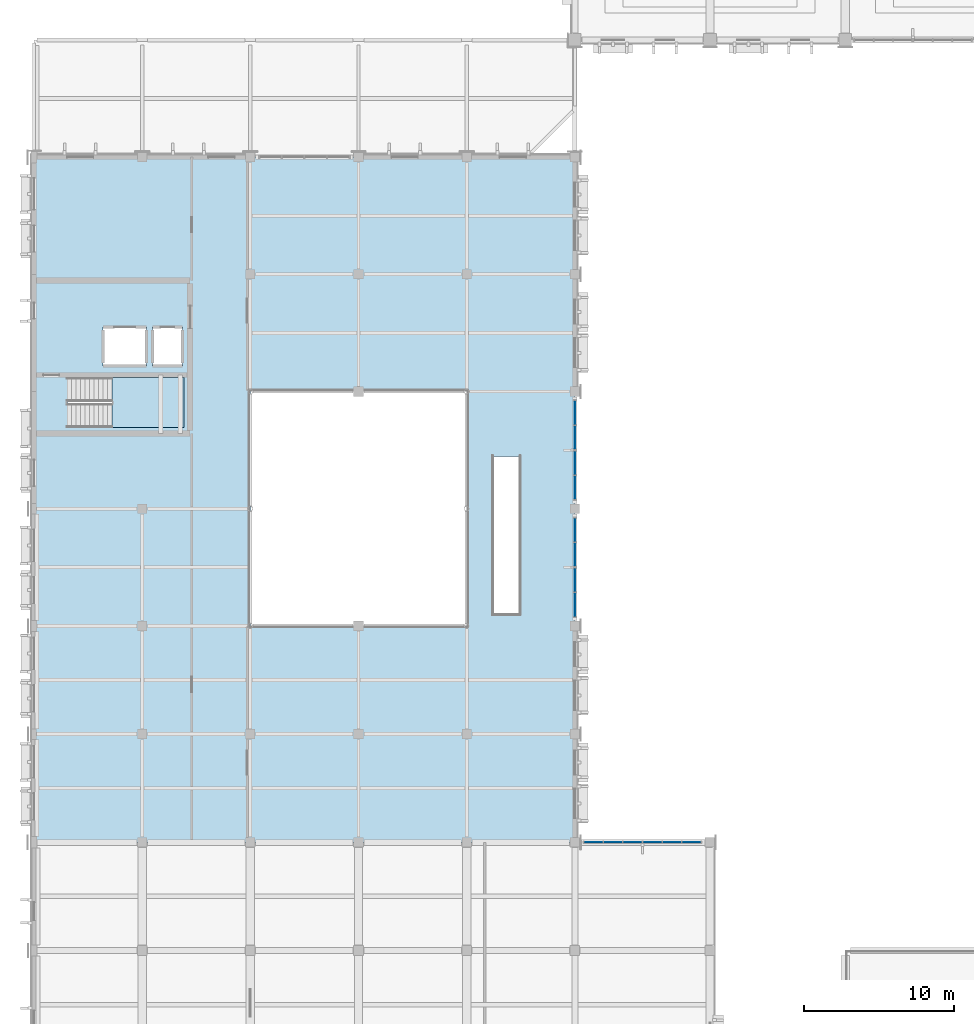
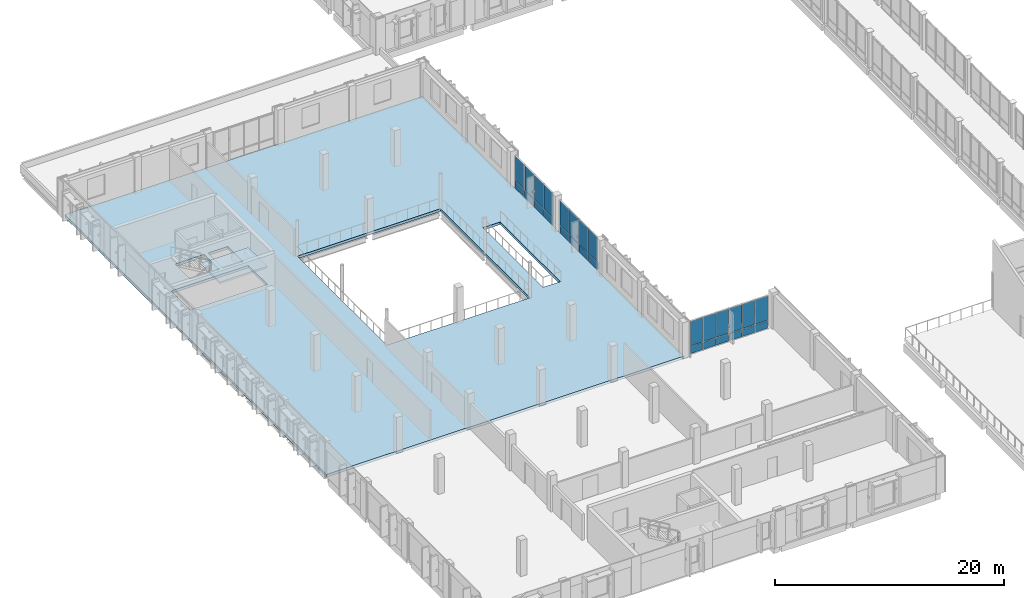
# One storey, part 43 of 85: 28 plates, 2 slabs, 7 elements without a shape of their own.
"""IFC4 building model written with IfcOpenShell, lengths in metres."""

from ifc_helpers import new_model, si_unit, direction, frame, origin, origin_2d, place, context, subcontext, project, spatial, polyline, rectangle, outline, extrude, material, layer, layer_set, type_object, element, aggregate, save


model = new_model("IFC4")

# Units and contexts
model_context = context("Model", 3, precision=1e-05, world=origin(), true_north=direction((0.0, 1.0)))
body_context = subcontext(model_context, "Body", "Model", "MODEL_VIEW")
ifc_project = project(units=[si_unit("LENGTHUNIT", "METRE"), si_unit("AREAUNIT", "SQUARE_METRE"), si_unit("VOLUMEUNIT", "CUBIC_METRE"), si_unit("PLANEANGLEUNIT", "RADIAN"), si_unit("MASSUNIT", "GRAM", prefix="KILO")], contexts=[model_context])

# Site, building, storey
site_placement = place(None, origin())
site = spatial("IfcSite", under=ifc_project, at=site_placement, CompositionType="ELEMENT")
building_placement = place(site_placement, origin())
building = spatial("IfcBuilding", under=site, at=building_placement, Name="Vervanel Yard Central Library", CompositionType="ELEMENT")
storey_placement = place(building_placement, frame((0.0, 0.0, 5.10009765625)))
storey = spatial("IfcBuildingStorey", under=building, at=storey_placement, Name="L01", CompositionType="ELEMENT", Elevation=5.10009765625)

# Stair, slab
ifc_material_1 = material(Name="Concrete C40/50", Category="concrete")
stair_type = type_object("IfcStairType", Name="Protected Core Dog-Leg Stair ST-03", PredefinedType="HALF_TURN_STAIR", material=ifc_material_1)
stair_placement = place(storey_placement, origin())
stair = element("IfcStair", 1, at=stair_placement, inside=storey, type_object=stair_type, Name="L01 CORE-C Protected Exit Stair", PredefinedType="HALF_TURN_STAIR")
ifc_layer_1 = layer(ifc_material_1, 0.199951171875, Category="concrete")
ifc_layer_set_1 = layer_set([ifc_layer_1], Name="Concrete C40/50")
slab_type_1 = type_object("IfcSlabType", Name="Core Stair Concrete Landing Slab 200", PredefinedType="LANDING", material=ifc_layer_set_1)
slab_1_placement = place(storey_placement, frame((0.0, 0.0, 1.719970703125)))
slab_1 = element("IfcSlab", 2, at=slab_1_placement, type_object=slab_type_1, Name="ST-03 landing 1", PredefinedType="LANDING", context=body_context, shape_type="SweptSolid", body=[
    extrude(outline(polyline([(5.199951171875, 56.39990234375), (10.0, 56.39990234375), (10.0, 59.719970703125), (5.199951171875, 59.719970703125), (5.199951171875, 56.39990234375)])), origin(), (0.0, 0.0, 1.0), 0.199951171875),
])
aggregate(stair, [slab_1])

# Curtain wall, plates
ifc_material_2 = material(Name="Thermally broken anodized aluminium 6063-T6", Category="aluminium")
curtain_wall_type_1 = type_object("IfcCurtainWallType", Name="Atrium Courtyard Curtain Wall", PredefinedType="NOTDEFINED", material=ifc_material_2)
curtain_wall_1_placement = place(storey_placement, origin())
curtain_wall_1 = element("IfcCurtainWall", 3, at=curtain_wall_1_placement, inside=storey, type_object=curtain_wall_type_1, Name="L01 Atrium Courtyard Curtain Wall CWR-L01-028", PredefinedType="NOTDEFINED")
ifc_material_3 = material(Name="Double low-E laminated solar-control glass", Category="glass")
ifc_layer_2 = layer(ifc_material_3, 0.030029296875, Category="glass")
ifc_layer_set_2 = layer_set([ifc_layer_2], Name="Double low-E laminated solar-control glass")
plate_type_1 = type_object("IfcPlateType", Name="Courtyard Clear Low-E Panel 30", PredefinedType="CURTAIN_PANEL", material=ifc_layer_set_2)
plate_1_placement = place(storey_placement, frame((36.0, 44.611328125, 0.88232421875), z_axis=(0.0, 0.0, 1.0), x_axis=(0.0, 1.0, 0.0)))
plate_1 = element("IfcPlate", 4, at=plate_1_placement, type_object=plate_type_1, Name="CWR-L01-028 Panel B1-2", PredefinedType="CURTAIN_PANEL", context=body_context, shape_type="SweptSolid", body=[
    extrude(rectangle(XDim=1.572509765625, YDim=0.030029296875, at=origin_2d()), origin(), (0.0, 0.0, 1.0), 2.58251953125),
])
plate_2_placement = place(storey_placement, frame((36.0, 46.248779296875, 0.88232421875), z_axis=(0.0, 0.0, 1.0), x_axis=(0.0, 1.0, 0.0)))
plate_2 = element("IfcPlate", 5, at=plate_2_placement, type_object=plate_type_1, Name="CWR-L01-028 Panel B2-2", PredefinedType="CURTAIN_PANEL", context=body_context, shape_type="SweptSolid", body=[
    extrude(rectangle(XDim=1.572509765625, YDim=0.030029296875, at=origin_2d()), origin(), (0.0, 0.0, 1.0), 2.58251953125),
])

curtain_wall_2_placement = place(storey_placement, origin())
curtain_wall_2 = element("IfcCurtainWall", 6, at=curtain_wall_2_placement, inside=storey, type_object=curtain_wall_type_1, Name="L01 Atrium Courtyard Curtain Wall CWR-L01-029", PredefinedType="NOTDEFINED")
plate_3_placement = place(storey_placement, frame((36.0, 47.951171875, 0.88232421875), z_axis=(0.0, 0.0, 1.0), x_axis=(0.0, 1.0, 0.0)))
plate_3 = element("IfcPlate", 7, at=plate_3_placement, type_object=plate_type_1, Name="CWR-L01-029 Panel B1-2", PredefinedType="CURTAIN_PANEL", context=body_context, shape_type="SweptSolid", body=[
    extrude(rectangle(XDim=1.572509765625, YDim=0.030029296875, at=origin_2d()), origin(), (0.0, 0.0, 1.0), 2.58251953125),
])
plate_4_placement = place(storey_placement, frame((36.0, 49.5888671875, 0.88232421875), z_axis=(0.0, 0.0, 1.0), x_axis=(0.0, 1.0, 0.0)))
plate_4 = element("IfcPlate", 8, at=plate_4_placement, type_object=plate_type_1, Name="CWR-L01-029 Panel B2-2", PredefinedType="CURTAIN_PANEL", context=body_context, shape_type="SweptSolid", body=[
    extrude(rectangle(XDim=1.572509765625, YDim=0.030029296875, at=origin_2d()), origin(), (0.0, 0.0, 1.0), 2.58251953125),
])

curtain_wall_3_placement = place(storey_placement, origin())
curtain_wall_3 = element("IfcCurtainWall", 9, at=curtain_wall_3_placement, inside=storey, type_object=curtain_wall_type_1, Name="L01 Atrium Courtyard Curtain Wall CWR-L01-030", PredefinedType="NOTDEFINED")
plate_5_placement = place(storey_placement, frame((36.0, 52.4111328125, 0.88232421875), z_axis=(0.0, 0.0, 1.0), x_axis=(0.0, 1.0, 0.0)))
plate_5 = element("IfcPlate", 10, at=plate_5_placement, type_object=plate_type_1, Name="CWR-L01-030 Panel B1-2", PredefinedType="CURTAIN_PANEL", context=body_context, shape_type="SweptSolid", body=[
    extrude(rectangle(XDim=1.572509765625, YDim=0.030029296875, at=origin_2d()), origin(), (0.0, 0.0, 1.0), 2.58251953125),
])
plate_6_placement = place(storey_placement, frame((36.0, 54.048828125, 0.88232421875), z_axis=(0.0, 0.0, 1.0), x_axis=(0.0, 1.0, 0.0)))
plate_6 = element("IfcPlate", 11, at=plate_6_placement, type_object=plate_type_1, Name="CWR-L01-030 Panel B2-2", PredefinedType="CURTAIN_PANEL", context=body_context, shape_type="SweptSolid", body=[
    extrude(rectangle(XDim=1.572509765625, YDim=0.030029296875, at=origin_2d()), origin(), (0.0, 0.0, 1.0), 2.58251953125),
])

curtain_wall_4_placement = place(storey_placement, origin())
curtain_wall_4 = element("IfcCurtainWall", 12, at=curtain_wall_4_placement, inside=storey, type_object=curtain_wall_type_1, Name="L01 Atrium Courtyard Curtain Wall CWR-L01-031", PredefinedType="NOTDEFINED")
plate_7_placement = place(storey_placement, frame((36.0, 55.751220703125, 0.88232421875), z_axis=(0.0, 0.0, 1.0), x_axis=(0.0, 1.0, 0.0)))
plate_7 = element("IfcPlate", 13, at=plate_7_placement, type_object=plate_type_1, Name="CWR-L01-031 Panel B1-2", PredefinedType="CURTAIN_PANEL", context=body_context, shape_type="SweptSolid", body=[
    extrude(rectangle(XDim=1.572509765625, YDim=0.030029296875, at=origin_2d()), origin(), (0.0, 0.0, 1.0), 2.58251953125),
])
plate_8_placement = place(storey_placement, frame((36.0, 57.388671875, 0.88232421875), z_axis=(0.0, 0.0, 1.0), x_axis=(0.0, 1.0, 0.0)))
plate_8 = element("IfcPlate", 14, at=plate_8_placement, type_object=plate_type_1, Name="CWR-L01-031 Panel B2-2", PredefinedType="CURTAIN_PANEL", context=body_context, shape_type="SweptSolid", body=[
    extrude(rectangle(XDim=1.572509765625, YDim=0.030029296875, at=origin_2d()), origin(), (0.0, 0.0, 1.0), 2.58251953125),
])

curtain_wall_type_2 = type_object("IfcCurtainWallType", Name="Boulevard Cafe & Bridge Curtain Wall", PredefinedType="NOTDEFINED", material=ifc_material_2)
curtain_wall_5_placement = place(storey_placement, origin())
curtain_wall_5 = element("IfcCurtainWall", 15, at=curtain_wall_5_placement, inside=storey, type_object=curtain_wall_type_2, Name="L01 Boulevard Cafe & Bridge Curtain Wall CWR-L01-197", PredefinedType="NOTDEFINED")
plate_9_placement = place(storey_placement, frame((37.236572265625, 28.800048828125, 0.8798828125), z_axis=(0.0, 0.0, 1.0), x_axis=(1.0, 0.0, 0.0)))
plate_9 = element("IfcPlate", 16, at=plate_9_placement, type_object=plate_type_1, Name="CWR-L01-197 Panel B1-2", PredefinedType="CURTAIN_PANEL", context=body_context, shape_type="SweptSolid", body=[
    extrude(rectangle(XDim=1.2333984375, YDim=0.030029296875, at=origin_2d()), origin(), (0.0, 0.0, 1.0), 2.590087890625),
])
plate_10_placement = place(storey_placement, frame((38.530029296875, 28.800048828125, 0.8798828125), z_axis=(0.0, 0.0, 1.0), x_axis=(1.0, 0.0, 0.0)))
plate_10 = element("IfcPlate", 17, at=plate_10_placement, type_object=plate_type_1, Name="CWR-L01-197 Panel B2-2", PredefinedType="CURTAIN_PANEL", context=body_context, shape_type="SweptSolid", body=[
    extrude(rectangle(XDim=1.2333984375, YDim=0.030029296875, at=origin_2d()), origin(), (0.0, 0.0, 1.0), 2.590087890625),
])
plate_11_placement = place(storey_placement, frame((39.8232421875, 28.800048828125, 0.8798828125), z_axis=(0.0, 0.0, 1.0), x_axis=(1.0, 0.0, 0.0)))
plate_11 = element("IfcPlate", 18, at=plate_11_placement, type_object=plate_type_1, Name="CWR-L01-197 Panel B3-2", PredefinedType="CURTAIN_PANEL", context=body_context, shape_type="SweptSolid", body=[
    extrude(rectangle(XDim=1.2333984375, YDim=0.030029296875, at=origin_2d()), origin(), (0.0, 0.0, 1.0), 2.590087890625),
])

curtain_wall_6_placement = place(storey_placement, origin())
curtain_wall_6 = element("IfcCurtainWall", 19, at=curtain_wall_6_placement, inside=storey, type_object=curtain_wall_type_2, Name="L01 Boulevard Cafe & Bridge Curtain Wall CWR-L01-198", PredefinedType="NOTDEFINED")
plate_12_placement = place(storey_placement, frame((41.1767578125, 28.800048828125, 0.8798828125), z_axis=(0.0, 0.0, 1.0), x_axis=(1.0, 0.0, 0.0)))
plate_12 = element("IfcPlate", 20, at=plate_12_placement, type_object=plate_type_1, Name="CWR-L01-198 Panel B1-2", PredefinedType="CURTAIN_PANEL", context=body_context, shape_type="SweptSolid", body=[
    extrude(rectangle(XDim=1.2333984375, YDim=0.030029296875, at=origin_2d()), origin(), (0.0, 0.0, 1.0), 2.590087890625),
])
plate_13_placement = place(storey_placement, frame((42.469970703125, 28.800048828125, 0.8798828125), z_axis=(0.0, 0.0, 1.0), x_axis=(1.0, 0.0, 0.0)))
plate_13 = element("IfcPlate", 21, at=plate_13_placement, type_object=plate_type_1, Name="CWR-L01-198 Panel B2-2", PredefinedType="CURTAIN_PANEL", context=body_context, shape_type="SweptSolid", body=[
    extrude(rectangle(XDim=1.2333984375, YDim=0.030029296875, at=origin_2d()), origin(), (0.0, 0.0, 1.0), 2.590087890625),
])
plate_14_placement = place(storey_placement, frame((43.763427734375, 28.800048828125, 0.8798828125), z_axis=(0.0, 0.0, 1.0), x_axis=(1.0, 0.0, 0.0)))
plate_14 = element("IfcPlate", 22, at=plate_14_placement, type_object=plate_type_1, Name="CWR-L01-198 Panel B3-2", PredefinedType="CURTAIN_PANEL", context=body_context, shape_type="SweptSolid", body=[
    extrude(rectangle(XDim=1.2333984375, YDim=0.030029296875, at=origin_2d()), origin(), (0.0, 0.0, 1.0), 2.590087890625),
])

# Plate
ifc_material_4 = material(Name="Insulated bronze aluminium spandrel panel", Category="aluminium")
ifc_layer_3 = layer(ifc_material_4, 0.080078125, Category="aluminium")
ifc_layer_set_3 = layer_set([ifc_layer_3], Name="Insulated bronze aluminium spandrel panel")
plate_type_2 = type_object("IfcPlateType", Name="Insulated Bronze Spandrel Panel 80", PredefinedType="CURTAIN_PANEL", material=ifc_layer_set_3)
plate_15_placement = place(storey_placement, frame((36.0, 44.611328125, 0.06494140625), z_axis=(0.0, 0.0, 1.0), x_axis=(0.0, 1.0, 0.0)))
plate_15 = element("IfcPlate", 23, at=plate_15_placement, type_object=plate_type_2, Name="CWR-L01-028 Panel B1-1", PredefinedType="CURTAIN_PANEL", context=body_context, shape_type="SweptSolid", body=[
    extrude(rectangle(XDim=1.572509765625, YDim=0.080078125, at=origin_2d()), origin(), (0.0, 0.0, 1.0), 0.75244140625),
])

plate_16_placement = place(storey_placement, frame((36.0, 46.248779296875, 0.06494140625), z_axis=(0.0, 0.0, 1.0), x_axis=(0.0, 1.0, 0.0)))
plate_16 = element("IfcPlate", 24, at=plate_16_placement, type_object=plate_type_2, Name="CWR-L01-028 Panel B2-1", PredefinedType="CURTAIN_PANEL", context=body_context, shape_type="SweptSolid", body=[
    extrude(rectangle(XDim=1.572509765625, YDim=0.080078125, at=origin_2d()), origin(), (0.0, 0.0, 1.0), 0.75244140625),
])

aggregate(curtain_wall_1, [plate_15, plate_1, plate_16, plate_2])

plate_17_placement = place(storey_placement, frame((36.0, 47.951171875, 0.06494140625), z_axis=(0.0, 0.0, 1.0), x_axis=(0.0, 1.0, 0.0)))
plate_17 = element("IfcPlate", 25, at=plate_17_placement, type_object=plate_type_2, Name="CWR-L01-029 Panel B1-1", PredefinedType="CURTAIN_PANEL", context=body_context, shape_type="SweptSolid", body=[
    extrude(rectangle(XDim=1.572509765625, YDim=0.080078125, at=origin_2d()), origin(), (0.0, 0.0, 1.0), 0.75244140625),
])

plate_18_placement = place(storey_placement, frame((36.0, 49.5888671875, 0.06494140625), z_axis=(0.0, 0.0, 1.0), x_axis=(0.0, 1.0, 0.0)))
plate_18 = element("IfcPlate", 26, at=plate_18_placement, type_object=plate_type_2, Name="CWR-L01-029 Panel B2-1", PredefinedType="CURTAIN_PANEL", context=body_context, shape_type="SweptSolid", body=[
    extrude(rectangle(XDim=1.572509765625, YDim=0.080078125, at=origin_2d()), origin(), (0.0, 0.0, 1.0), 0.75244140625),
])

aggregate(curtain_wall_2, [plate_17, plate_3, plate_18, plate_4])

plate_19_placement = place(storey_placement, frame((36.0, 52.4111328125, 0.06494140625), z_axis=(0.0, 0.0, 1.0), x_axis=(0.0, 1.0, 0.0)))
plate_19 = element("IfcPlate", 27, at=plate_19_placement, type_object=plate_type_2, Name="CWR-L01-030 Panel B1-1", PredefinedType="CURTAIN_PANEL", context=body_context, shape_type="SweptSolid", body=[
    extrude(rectangle(XDim=1.572509765625, YDim=0.080078125, at=origin_2d()), origin(), (0.0, 0.0, 1.0), 0.75244140625),
])

plate_20_placement = place(storey_placement, frame((36.0, 54.048828125, 0.06494140625), z_axis=(0.0, 0.0, 1.0), x_axis=(0.0, 1.0, 0.0)))
plate_20 = element("IfcPlate", 28, at=plate_20_placement, type_object=plate_type_2, Name="CWR-L01-030 Panel B2-1", PredefinedType="CURTAIN_PANEL", context=body_context, shape_type="SweptSolid", body=[
    extrude(rectangle(XDim=1.572509765625, YDim=0.080078125, at=origin_2d()), origin(), (0.0, 0.0, 1.0), 0.75244140625),
])

aggregate(curtain_wall_3, [plate_19, plate_5, plate_20, plate_6])

plate_21_placement = place(storey_placement, frame((36.0, 55.751220703125, 0.06494140625), z_axis=(0.0, 0.0, 1.0), x_axis=(0.0, 1.0, 0.0)))
plate_21 = element("IfcPlate", 29, at=plate_21_placement, type_object=plate_type_2, Name="CWR-L01-031 Panel B1-1", PredefinedType="CURTAIN_PANEL", context=body_context, shape_type="SweptSolid", body=[
    extrude(rectangle(XDim=1.572509765625, YDim=0.080078125, at=origin_2d()), origin(), (0.0, 0.0, 1.0), 0.75244140625),
])

plate_22_placement = place(storey_placement, frame((36.0, 57.388671875, 0.06494140625), z_axis=(0.0, 0.0, 1.0), x_axis=(0.0, 1.0, 0.0)))
plate_22 = element("IfcPlate", 30, at=plate_22_placement, type_object=plate_type_2, Name="CWR-L01-031 Panel B2-1", PredefinedType="CURTAIN_PANEL", context=body_context, shape_type="SweptSolid", body=[
    extrude(rectangle(XDim=1.572509765625, YDim=0.080078125, at=origin_2d()), origin(), (0.0, 0.0, 1.0), 0.75244140625),
])

aggregate(curtain_wall_4, [plate_21, plate_7, plate_22, plate_8])

plate_23_placement = place(storey_placement, frame((37.236572265625, 28.800048828125, 0.06005859375), z_axis=(0.0, 0.0, 1.0), x_axis=(1.0, 0.0, 0.0)))
plate_23 = element("IfcPlate", 31, at=plate_23_placement, type_object=plate_type_2, Name="CWR-L01-197 Panel B1-1", PredefinedType="CURTAIN_PANEL", context=body_context, shape_type="SweptSolid", body=[
    extrude(rectangle(XDim=1.2333984375, YDim=0.080078125, at=origin_2d()), origin(), (0.0, 0.0, 1.0), 0.760009765625),
])

plate_24_placement = place(storey_placement, frame((38.530029296875, 28.800048828125, 0.06005859375), z_axis=(0.0, 0.0, 1.0), x_axis=(1.0, 0.0, 0.0)))
plate_24 = element("IfcPlate", 32, at=plate_24_placement, type_object=plate_type_2, Name="CWR-L01-197 Panel B2-1", PredefinedType="CURTAIN_PANEL", context=body_context, shape_type="SweptSolid", body=[
    extrude(rectangle(XDim=1.2333984375, YDim=0.080078125, at=origin_2d()), origin(), (0.0, 0.0, 1.0), 0.760009765625),
])

plate_25_placement = place(storey_placement, frame((39.8232421875, 28.800048828125, 0.06005859375), z_axis=(0.0, 0.0, 1.0), x_axis=(1.0, 0.0, 0.0)))
plate_25 = element("IfcPlate", 33, at=plate_25_placement, type_object=plate_type_2, Name="CWR-L01-197 Panel B3-1", PredefinedType="CURTAIN_PANEL", context=body_context, shape_type="SweptSolid", body=[
    extrude(rectangle(XDim=1.2333984375, YDim=0.080078125, at=origin_2d()), origin(), (0.0, 0.0, 1.0), 0.760009765625),
])

aggregate(curtain_wall_5, [plate_23, plate_9, plate_24, plate_10, plate_25, plate_11])

plate_26_placement = place(storey_placement, frame((41.1767578125, 28.800048828125, 0.06005859375), z_axis=(0.0, 0.0, 1.0), x_axis=(1.0, 0.0, 0.0)))
plate_26 = element("IfcPlate", 34, at=plate_26_placement, type_object=plate_type_2, Name="CWR-L01-198 Panel B1-1", PredefinedType="CURTAIN_PANEL", context=body_context, shape_type="SweptSolid", body=[
    extrude(rectangle(XDim=1.2333984375, YDim=0.080078125, at=origin_2d()), origin(), (0.0, 0.0, 1.0), 0.760009765625),
])

plate_27_placement = place(storey_placement, frame((42.469970703125, 28.800048828125, 0.06005859375), z_axis=(0.0, 0.0, 1.0), x_axis=(1.0, 0.0, 0.0)))
plate_27 = element("IfcPlate", 35, at=plate_27_placement, type_object=plate_type_2, Name="CWR-L01-198 Panel B2-1", PredefinedType="CURTAIN_PANEL", context=body_context, shape_type="SweptSolid", body=[
    extrude(rectangle(XDim=1.2333984375, YDim=0.080078125, at=origin_2d()), origin(), (0.0, 0.0, 1.0), 0.760009765625),
])

plate_28_placement = place(storey_placement, frame((43.763427734375, 28.800048828125, 0.06005859375), z_axis=(0.0, 0.0, 1.0), x_axis=(1.0, 0.0, 0.0)))
plate_28 = element("IfcPlate", 36, at=plate_28_placement, type_object=plate_type_2, Name="CWR-L01-198 Panel B3-1", PredefinedType="CURTAIN_PANEL", context=body_context, shape_type="SweptSolid", body=[
    extrude(rectangle(XDim=1.2333984375, YDim=0.080078125, at=origin_2d()), origin(), (0.0, 0.0, 1.0), 0.760009765625),
])

aggregate(curtain_wall_6, [plate_26, plate_12, plate_27, plate_13, plate_28, plate_14])

# Slab
ifc_layer_4 = layer(ifc_material_1, 0.280029296875, Category="concrete")
ifc_layer_set_4 = layer_set([ifc_layer_4], Name="Concrete C40/50")
slab_type_2 = type_object("IfcSlabType", Name="Reading Wing Floor Slab 280", PredefinedType="FLOOR", material=ifc_layer_set_4)
slab_2_placement = place(storey_placement, frame((0.0, 0.0, -0.280029296875)))
element("IfcSlab", 37, at=slab_2_placement, inside=storey, type_object=slab_type_2, Name="L01 V2 Reading Wing Floor Slab 280", PredefinedType="FLOOR", context=body_context, shape_type="SweptSolid", body=[
    extrude(outline(polyline([(0.0, 28.800048828125), (36.0, 28.800048828125), (36.0, 74.39990234375), (0.0, 74.39990234375), (0.0, 28.800048828125)]), holes=[polyline([(14.39990234375, 43.199951171875), (28.800048828125, 43.199951171875), (28.800048828125, 58.800048828125), (14.39990234375, 58.800048828125), (14.39990234375, 43.199951171875)]), polyline([(2.235107421875, 56.39990234375), (10.0, 56.39990234375), (10.0, 59.719970703125), (2.235107421875, 59.719970703125), (2.235107421875, 56.39990234375)]), polyline([(4.60009765625, 60.5), (7.5, 60.5), (7.5, 63.10009765625), (4.60009765625, 63.10009765625), (4.60009765625, 60.5)]), polyline([(7.89990234375, 60.5), (9.89990234375, 60.5), (9.89990234375, 63.10009765625), (7.89990234375, 63.10009765625), (7.89990234375, 60.5)]), polyline([(30.590087890625, 44.0), (32.31005859375, 44.0), (32.31005859375, 54.465087890625), (30.590087890625, 54.465087890625), (30.590087890625, 44.0)])]), origin(), (0.0, 0.0, 1.0), 0.280029296875),
])

save(model, "model.ifc")
